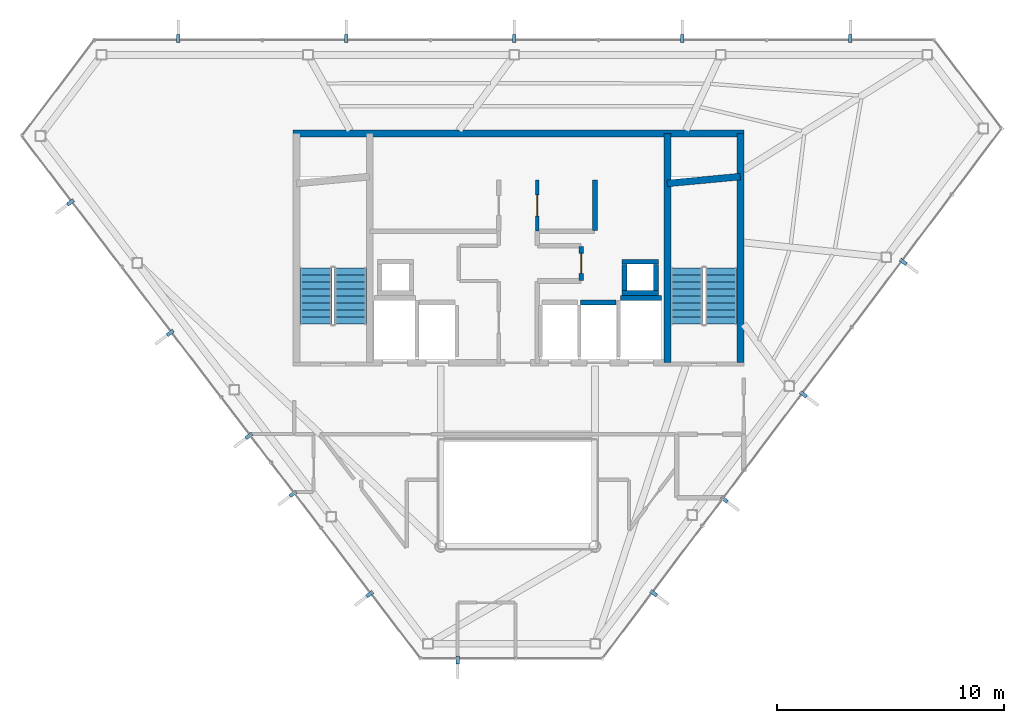
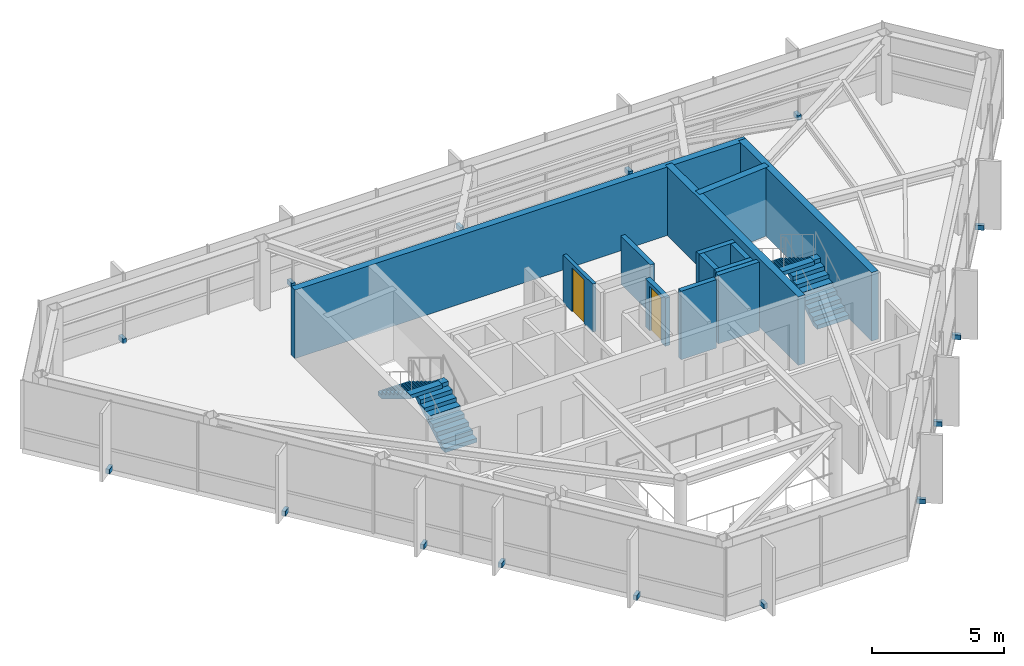
# One storey, part 21 of 22: 15 discrete accessories, 13 walls, 4 stair flights, 2 doors, 2 openings, 2 elements without a shape of their own.
"""IFC4 building model written with IfcOpenShell, lengths in metres."""

from ifc_helpers import new_model, si_unit, direction, frame, frame_2d, origin, origin_2d, place, context, subcontext, project, spatial, polyline, rectangle, outline, extrude, material, layer, layer_set, type_object, element, fill, aggregate, save


model = new_model("IFC4")

# Units and contexts
model_context = context("Model", 3, precision=1e-05, world=origin(), true_north=direction((0.0, 1.0)))
body_context = subcontext(model_context, "Body", "Model", "MODEL_VIEW")
ifc_project = project(units=[si_unit("LENGTHUNIT", "METRE"), si_unit("AREAUNIT", "SQUARE_METRE"), si_unit("VOLUMEUNIT", "CUBIC_METRE"), si_unit("PLANEANGLEUNIT", "RADIAN"), si_unit("MASSUNIT", "GRAM", prefix="KILO")], contexts=[model_context])

# Site, building, storey
site_placement = place(None, origin())
site = spatial("IfcSite", under=ifc_project, at=site_placement, CompositionType="ELEMENT")
building_placement = place(site_placement, origin())
building = spatial("IfcBuilding", under=site, at=building_placement, Name="Zarrinselat Tower", CompositionType="ELEMENT")
storey_placement = place(building_placement, frame((0.0, 0.0, 289.0)))
storey = spatial("IfcBuildingStorey", under=building, at=storey_placement, Name="L74", CompositionType="ELEMENT", Elevation=289.0)

# Wall, opening, door
ifc_material_1 = material(Name="Fire-Rated Gypsum Board Partition", Category="gypsum")
ifc_layer_1 = layer(ifc_material_1, 0.14990234375)
ifc_layer_set_1 = layer_set([ifc_layer_1], Name="Fire-Rated Gypsum Board Partition")
wall_type_1 = type_object("IfcWallType", Name="WAL-PART-EI60", PredefinedType="PARTITIONING", material=ifc_layer_set_1)
wall_1_placement = place(storey_placement, frame((39.25, 39.10498046875, 0.0), z_axis=(0.0, 0.0, 1.0), x_axis=(0.0, 1.0, 0.0)))
wall_1 = element("IfcWall", 1, at=wall_1_placement, inside=storey, type_object=wall_type_1, Name="L74 Partition Wall 12", PredefinedType="PARTITIONING", context=body_context, shape_type="SweptSolid", body=[
    extrude(rectangle(XDim=2.2451171875, YDim=0.14990234375, at=frame_2d((1.12255859375, 0.0))), origin(), (0.0, 0.0, 1.0), 2.235107421875),
])
opening_1_placement = place(wall_1_placement, frame((0.652587890625, 0.0, 0.0)))
opening_1 = element("IfcOpeningElement", 2, at=opening_1_placement, cuts=wall_1, Name="Opening ID-04", PredefinedType="OPENING", context=body_context, shape_type="SweptSolid", body=[
    extrude(rectangle(XDim=0.93994140625, YDim=2.050048828125, at=frame_2d((0.469970703125, 1.02490234375))), frame((0.0, 0.0849609375, 0.0), z_axis=(0.0, -1.0, 0.0), x_axis=(1.0, 0.0, 0.0)), (0.0, 0.0, 1.0), 0.169921875),
])
ifc_material_2 = material(Name="Fire-Rated Gypsum Board Partition")
door_type_1 = type_object("IfcDoorType", Name="DR-INT-FD30-ENT", OperationType="NOTDEFINED", PredefinedType="DOOR", material=ifc_material_2)
door_1_placement = place(opening_1_placement, origin())
door_1 = element("IfcDoor", 3, at=door_1_placement, inside=storey, type_object=door_type_1, Name="L74 Interior Door P12", OperationType="SINGLE_SWING_LEFT", OverallHeight=2.050048828125, OverallWidth=0.93994140625, PredefinedType="DOOR", context=body_context, shape_type="SweptSolid", body=[
    extrude(rectangle(XDim=0.93994140625, YDim=2.050048828125, at=frame_2d((0.469970703125, 1.02490234375))), frame((0.0, 0.02490234375, 0.0), z_axis=(0.0, -1.0, 0.0), x_axis=(1.0, 0.0, 0.0)), (0.0, 0.0, 1.0), 0.050048828125),
])
fill(opening_1, door_1)

ifc_material_3 = material(Name="Concrete C40/50", Category="concrete")
ifc_layer_2 = layer(ifc_material_3, 0.199951171875)
ifc_layer_set_2 = layer_set([ifc_layer_2], Name="Concrete C40/50")
wall_type_2 = type_object("IfcWallType", Name="WAL-PART-PLANT", PredefinedType="PARTITIONING", material=ifc_layer_set_2)
wall_2_placement = place(storey_placement, frame((41.199951171875, 36.919921875, 0.0), z_axis=(0.0, 0.0, 1.0), x_axis=(0.0, 1.0, 0.0)))
wall_2 = element("IfcWall", 4, at=wall_2_placement, inside=storey, type_object=wall_type_2, Name="L74 Partition Wall 9", PredefinedType="PARTITIONING", context=body_context, shape_type="SweptSolid", body=[
    extrude(rectangle(XDim=1.510009765625, YDim=0.199951171875, at=frame_2d((0.7548828125, 0.0))), origin(), (0.0, 0.0, 1.0), 2.235107421875),
])
opening_2_placement = place(wall_2_placement, frame((0.31494140625, 0.0, 0.0)))
opening_2 = element("IfcOpeningElement", 5, at=opening_2_placement, cuts=wall_2, Name="Opening ID-03", PredefinedType="OPENING", context=body_context, shape_type="SweptSolid", body=[
    extrude(rectangle(XDim=0.8798828125, YDim=2.050048828125, at=frame_2d((0.43994140625, 1.02490234375))), frame((0.0, 0.10986328125, 0.0), z_axis=(0.0, -1.0, 0.0), x_axis=(1.0, 0.0, 0.0)), (0.0, 0.0, 1.0), 0.219970703125),
])
ifc_material_4 = material(Name="Steel S355J2", Category="steel")
door_type_2 = type_object("IfcDoorType", Name="DR-INT-FD60-S", OperationType="NOTDEFINED", PredefinedType="DOOR", material=ifc_material_4)
door_2_placement = place(opening_2_placement, origin())
door_2 = element("IfcDoor", 6, at=door_2_placement, inside=storey, type_object=door_type_2, Name="L74 Interior Door P9", OperationType="SINGLE_SWING_RIGHT", OverallHeight=2.050048828125, OverallWidth=0.8798828125, PredefinedType="DOOR", context=body_context, shape_type="SweptSolid", body=[
    extrude(rectangle(XDim=0.8798828125, YDim=2.050048828125, at=frame_2d((0.43994140625, 1.02490234375))), frame((0.0, 0.02490234375, 0.0), z_axis=(0.0, -1.0, 0.0), x_axis=(1.0, 0.0, 0.0)), (0.0, 0.0, 1.0), 0.050048828125),
])
fill(opening_2, door_2)

# Walls
wall_3_placement = place(storey_placement, frame((41.800048828125, 39.1201171875, 0.0), z_axis=(0.0, 0.0, 1.0), x_axis=(0.0, 1.0, 0.0)))
element("IfcWall", 7, at=wall_3_placement, inside=storey, type_object=wall_type_2, Name="L74 Partition Wall 15", PredefinedType="PARTITIONING", context=body_context, shape_type="SweptSolid", body=[
    extrude(rectangle(XDim=2.22998046875, YDim=0.199951171875, at=frame_2d((1.114990234375, 0.0))), origin(), (0.0, 0.0, 1.0), 2.235107421875),
])
ifc_material_5 = material(Name="Concrete C40/50", Category="concrete")
ifc_layer_3 = layer(ifc_material_5, 0.2099609375)
ifc_layer_set_3 = layer_set([ifc_layer_3], Name="Concrete C40/50")
wall_type_3 = type_object("IfcWallType", Name="WAL-SHAFT-210", PredefinedType="SOLIDWALL", material=ifc_layer_set_3)
wall_4_placement = place(storey_placement, frame((42.919921875, 36.155029296875, 0.0), z_axis=(0.0, 0.0, 1.0), x_axis=(1.0, 0.0, 0.0)))
element("IfcWall", 8, at=wall_4_placement, inside=storey, type_object=wall_type_3, Name="L74 Lift FFL2 North Shaft Wall", PredefinedType="SOLIDWALL", context=body_context, shape_type="SweptSolid", body=[
    extrude(rectangle(XDim=1.800048828125, YDim=0.2099609375, at=frame_2d((0.89990234375, 0.0))), origin(), (0.0, 0.0, 1.0), 3.179931640625),
])
wall_5_placement = place(storey_placement, frame((41.169921875, 35.955078125, 0.0), z_axis=(0.0, 0.0, 1.0), x_axis=(1.0, 0.0, 0.0)))
element("IfcWall", 9, at=wall_5_placement, inside=storey, type_object=wall_type_3, Name="L74 Lift PL9 North Shaft Wall", PredefinedType="SOLIDWALL", context=body_context, shape_type="SweptSolid", body=[
    extrude(rectangle(XDim=1.56005859375, YDim=0.2099609375, at=frame_2d((0.780029296875, 0.0))), origin(), (0.0, 0.0, 1.0), 3.179931640625),
])
for number, where, z_axis, x_axis, name in (
    (10, (42.989990234375, 36.375, 0.0), (0.0, 0.0, 1.0), (1.0, 0.0, 0.0), "L74 Core Riser RSR-E S Shaft Wall"),
    (11, (42.989990234375, 37.7451171875, 0.0), (0.0, 0.0, 1.0), (1.0, 0.0, 0.0), "L74 Core Riser RSR-E N Shaft Wall"),
):
    element("IfcWall", number, at=place(storey_placement, frame(where, z_axis=z_axis, x_axis=x_axis)), inside=storey, type_object=wall_type_3, Name=name, PredefinedType="SOLIDWALL", context=body_context, shape_type="SweptSolid", body=[
        extrude(rectangle(XDim=1.60009765625, YDim=0.2099609375, at=frame_2d((0.800048828125, 0.0))), origin(), (0.0, 0.0, 1.0), 3.179931640625),
    ])
for number, where, z_axis, x_axis, name in (
    (12, (43.094970703125, 36.485107421875, 0.0), (0.0, 0.0, 1.0), (0.0, 1.0, 0.0), "L74 Core Riser RSR-E W Shaft Wall"),
    (13, (44.485107421875, 36.485107421875, 0.0), (0.0, 0.0, 1.0), (0.0, 1.0, 0.0), "L74 Core Riser RSR-E E Shaft Wall"),
):
    element("IfcWall", number, at=place(storey_placement, frame(where, z_axis=z_axis, x_axis=x_axis)), inside=storey, type_object=wall_type_3, Name=name, PredefinedType="SOLIDWALL", context=body_context, shape_type="SweptSolid", body=[
        extrude(rectangle(XDim=1.14990234375, YDim=0.2099609375, at=frame_2d((0.574951171875, 0.0))), origin(), (0.0, 0.0, 1.0), 3.179931640625),
    ])
ifc_material_6 = material(Name="Concrete C40/50", Category="concrete")
ifc_layer_4 = layer(ifc_material_6, 0.300048828125)
ifc_layer_set_4 = layer_set([ifc_layer_4], Name="Concrete C40/50")
wall_type_4 = type_object("IfcWallType", Name="WAL-SHEAR-300", PredefinedType="SHEAR", material=ifc_layer_set_4)
wall_6_placement = place(storey_placement, frame((28.5, 43.39990234375, 0.0), z_axis=(0.0, 0.0, 1.0), x_axis=(1.0, 0.0, 0.0)))
element("IfcWall", 14, at=wall_6_placement, inside=storey, type_object=wall_type_4, Name="L74 North Core Shear Wall", PredefinedType="SHEAR", context=body_context, shape_type="SweptSolid", body=[
    extrude(rectangle(XDim=19.860107421875, YDim=0.300048828125, at=frame_2d((9.93017578125, 0.0))), origin(), (0.0, 0.0, 1.0), 3.179931640625),
])
for number, where, z_axis, x_axis, name in (
    (15, (44.989990234375, 33.300048828125, 0.0), (0.0, 0.0, 1.0), (0.0, 1.0, 0.0), "L74 Core Shear Wall ST2W"),
    (16, (48.2099609375, 33.300048828125, 0.0), (0.0, 0.0, 1.0), (0.0, 1.0, 0.0), "L74 Core Shear Wall E"),
):
    element("IfcWall", number, at=place(storey_placement, frame(where, z_axis=z_axis, x_axis=x_axis)), inside=storey, type_object=wall_type_4, Name=name, PredefinedType="SHEAR", context=body_context, shape_type="SweptSolid", body=[
        extrude(rectangle(XDim=10.099853515625, YDim=0.300048828125, at=frame_2d((5.0498046875, 0.0))), origin(), (0.0, 0.0, 1.0), 3.179931640625),
    ])
wall_7_placement = place(storey_placement, frame((44.97998046875, 41.199951171875, 0.0), z_axis=(0.0, 0.0, 1.0), x_axis=(0.995686468965, 0.09278176286, 0.0)))
element("IfcWall", 17, at=wall_7_placement, inside=storey, type_object=wall_type_4, Name="L74 Stair 2 North Shaft Wall", PredefinedType="SHEAR", context=body_context, shape_type="SweptSolid", body=[
    extrude(rectangle(XDim=3.23388671875, YDim=0.300048828125, at=frame_2d((1.616943359375, 0.0))), origin(), (0.0, 0.0, 1.0), 3.179931640625),
])

# Stair, stair flights
ifc_material_7 = material(Name="Concrete C40/50", Category="concrete")
stair_type = type_object("IfcStairType", Name="STR-CORE-155", PredefinedType="HALF_TURN_STAIR", material=ifc_material_7)
stair_1_placement = place(storey_placement, origin())
stair_1 = element("IfcStair", 18, at=stair_1_placement, inside=storey, type_object=stair_type, Name="L74 Core Exit Stair 1", PredefinedType="HALF_TURN_STAIR")
ifc_material_8 = material(Name="Concrete C40/50", Category="concrete")
stair_flight_type = type_object("IfcStairFlightType", Name="STR-FLT-155", PredefinedType="STRAIGHT", material=ifc_material_8)
stair_flight_1_placement = place(storey_placement, frame((31.02001953125, 35.0, 0.0), z_axis=(0.0, 0.0, 1.0), x_axis=(0.0, 1.0, 0.0)))
stair_flight_1 = element("IfcStairFlight", 19, at=stair_flight_1_placement, type_object=stair_flight_type, Name="ST-1 flight 1", NumberOfRisers=9, NumberOfTreads=8, PredefinedType="STRAIGHT", RiserHeight=0.188888889, TreadLength=0.31, context=body_context, shape_type="SweptSolid", body=[
    extrude(outline(polyline([(0.0, 0.0), (0.0, 0.18896484375), (0.31005859375, 0.18896484375), (0.31005859375, 0.377685546875), (0.6201171875, 0.377685546875), (0.6201171875, 0.566650390625), (0.929931640625, 0.566650390625), (0.929931640625, 0.755615234375), (1.239990234375, 0.755615234375), (1.239990234375, 0.9443359375), (1.550048828125, 0.9443359375), (1.550048828125, 1.13330078125), (1.860107421875, 1.13330078125), (1.860107421875, 1.322265625), (2.169921875, 1.322265625), (2.169921875, 1.51123046875), (2.47998046875, 1.51123046875), (2.47998046875, 1.699951171875), (2.47998046875, 1.335693359375), (0.2880859375, 0.0), (0.0, 0.0)])), frame((0.0, 0.699951171875, 0.0), z_axis=(0.0, -1.0, 0.0), x_axis=(1.0, 0.0, 0.0)), (0.0, 0.0, 1.0), 1.39990234375),
])
stair_flight_2_placement = place(storey_placement, frame((29.5, 37.47998046875, 1.699951171875), z_axis=(0.0, 0.0, 1.0), x_axis=(0.0, -1.0, 0.0)))
stair_flight_2 = element("IfcStairFlight", 20, at=stair_flight_2_placement, type_object=stair_flight_type, Name="ST-1 flight 2", NumberOfRisers=9, NumberOfTreads=8, PredefinedType="STRAIGHT", RiserHeight=0.188888889, TreadLength=0.31, context=body_context, shape_type="SweptSolid", body=[
    extrude(outline(polyline([(0.0, 0.0), (0.0, 0.18896484375), (0.31005859375, 0.18896484375), (0.31005859375, 0.377685546875), (0.6201171875, 0.377685546875), (0.6201171875, 0.566650390625), (0.929931640625, 0.566650390625), (0.929931640625, 0.755615234375), (1.239990234375, 0.755615234375), (1.239990234375, 0.9443359375), (1.550048828125, 0.9443359375), (1.550048828125, 1.13330078125), (1.860107421875, 1.13330078125), (1.860107421875, 1.322265625), (2.169921875, 1.322265625), (2.169921875, 1.51123046875), (2.47998046875, 1.51123046875), (2.47998046875, 1.699951171875), (2.47998046875, 1.335693359375), (0.2880859375, 0.0), (0.0, 0.0)])), frame((0.0, 0.699951171875, 0.0), z_axis=(0.0, -1.0, 0.0), x_axis=(1.0, 0.0, 0.0)), (0.0, 0.0, 1.0), 1.39990234375),
])
aggregate(stair_1, [stair_flight_1, stair_flight_2])

stair_2_placement = place(storey_placement, origin())
stair_2 = element("IfcStair", 21, at=stair_2_placement, inside=storey, type_object=stair_type, Name="L74 Core Exit Stair 2", PredefinedType="HALF_TURN_STAIR")
stair_flight_3_placement = place(storey_placement, frame((47.360107421875, 35.0, 0.0), z_axis=(0.0, 0.0, 1.0), x_axis=(0.0, 1.0, 0.0)))
stair_flight_3 = element("IfcStairFlight", 22, at=stair_flight_3_placement, type_object=stair_flight_type, Name="ST-2 flight 1", NumberOfRisers=9, NumberOfTreads=8, PredefinedType="STRAIGHT", RiserHeight=0.188888889, TreadLength=0.31, context=body_context, shape_type="SweptSolid", body=[
    extrude(outline(polyline([(0.0, 0.0), (0.0, 0.18896484375), (0.31005859375, 0.18896484375), (0.31005859375, 0.377685546875), (0.6201171875, 0.377685546875), (0.6201171875, 0.566650390625), (0.929931640625, 0.566650390625), (0.929931640625, 0.755615234375), (1.239990234375, 0.755615234375), (1.239990234375, 0.9443359375), (1.550048828125, 0.9443359375), (1.550048828125, 1.13330078125), (1.860107421875, 1.13330078125), (1.860107421875, 1.322265625), (2.169921875, 1.322265625), (2.169921875, 1.51123046875), (2.47998046875, 1.51123046875), (2.47998046875, 1.699951171875), (2.47998046875, 1.335693359375), (0.2880859375, 0.0), (0.0, 0.0)])), frame((0.0, 0.699951171875, 0.0), z_axis=(0.0, -1.0, 0.0), x_axis=(1.0, 0.0, 0.0)), (0.0, 0.0, 1.0), 1.39990234375),
])
stair_flight_4_placement = place(storey_placement, frame((45.840087890625, 37.47998046875, 1.699951171875), z_axis=(0.0, 0.0, 1.0), x_axis=(0.0, -1.0, 0.0)))
stair_flight_4 = element("IfcStairFlight", 23, at=stair_flight_4_placement, type_object=stair_flight_type, Name="ST-2 flight 2", NumberOfRisers=9, NumberOfTreads=8, PredefinedType="STRAIGHT", RiserHeight=0.188888889, TreadLength=0.31, context=body_context, shape_type="SweptSolid", body=[
    extrude(outline(polyline([(0.0, 0.0), (0.0, 0.18896484375), (0.31005859375, 0.18896484375), (0.31005859375, 0.377685546875), (0.6201171875, 0.377685546875), (0.6201171875, 0.566650390625), (0.929931640625, 0.566650390625), (0.929931640625, 0.755615234375), (1.239990234375, 0.755615234375), (1.239990234375, 0.9443359375), (1.550048828125, 0.9443359375), (1.550048828125, 1.13330078125), (1.860107421875, 1.13330078125), (1.860107421875, 1.322265625), (2.169921875, 1.322265625), (2.169921875, 1.51123046875), (2.47998046875, 1.51123046875), (2.47998046875, 1.699951171875), (2.47998046875, 1.335693359375), (0.2880859375, 0.0), (0.0, 0.0)])), frame((0.0, 0.699951171875, 0.0), z_axis=(0.0, -1.0, 0.0), x_axis=(1.0, 0.0, 0.0)), (0.0, 0.0, 1.0), 1.39990234375),
])
aggregate(stair_2, [stair_flight_3, stair_flight_4])

# Discrete accessories
ifc_material_9 = material(Name="Steel S355J2", Category="steel")
discrete_accessory_type = type_object("IfcDiscreteAccessoryType", Name="ACC-FIN-BRACKET", PredefinedType="BRACKET", material=ifc_material_9)
for number, where, z_axis, x_axis, name in (
    (24, (53.054443359375, 47.586669921875, -0.0498046875), (0.0, 0.0, 1.0), (0.0, 1.0, 0.0), "L74 Fin Fixing Bracket CW-L74-E01-01"),
    (25, (45.6494140625, 47.586669921875, -0.0498046875), (0.0, 0.0, 1.0), (0.0, 1.0, 0.0), "L74 Fin Fixing Bracket CW-L74-E01-03"),
    (26, (38.244140625, 47.586669921875, -0.0498046875), (0.0, 0.0, 1.0), (0.0, 1.0, 0.0), "L74 Fin Fixing Bracket CW-L74-E01-05"),
    (27, (30.8388671875, 47.586669921875, -0.0498046875), (0.0, 0.0, 1.0), (0.0, 1.0, 0.0), "L74 Fin Fixing Bracket CW-L74-E01-07"),
    (28, (23.43359375, 47.586669921875, -0.0498046875), (0.0, 0.0, 1.0), (0.0, 1.0, 0.0), "L74 Fin Fixing Bracket CW-L74-E01-09"),
    (29, (18.686767578125, 40.3671875, -0.0498046875), (0.0, 0.0, 1.0), (-0.794853219631, -0.606801746242, 0.0), "L74 Fin Fixing Bracket CW-L74-E03-01"),
    (30, (23.080810546875, 34.611328125, -0.0498046875), (0.0, 0.0, 1.0), (-0.794853219631, -0.606801746242, 0.0), "L74 Fin Fixing Bracket CW-L74-E03-03"),
    (31, (26.546875, 30.071044921875, -0.0498046875), (0.0, 0.0, 1.0), (-0.794853219631, -0.606801746242, 0.0), "L74 Fin Fixing Bracket CW-L74-E03-05"),
    (32, (28.493408203125, 27.52099609375, -0.0498046875), (0.0, 0.0, 1.0), (-0.794853219631, -0.606801746242, 0.0), "L74 Fin Fixing Bracket CW-L74-E03-07"),
    (33, (31.868896484375, 23.099609375, -0.0498046875), (0.0, 0.0, 1.0), (-0.794853219631, -0.606801746242, 0.0), "L74 Fin Fixing Bracket CW-L74-E03-09"),
    (34, (35.74609375, 20.194091796875, -0.0498046875), (0.0, 0.0, 1.0), (0.0, -1.0, 0.0), "L74 Fin Fixing Bracket CW-L74-E04-01"),
    (35, (44.385498046875, 23.142333984375, -0.0498046875), (0.0, 0.0, 1.0), (0.798742776655, -0.601672649155, 0.0), "L74 Fin Fixing Bracket CW-L74-E05-01"),
    (36, (47.49609375, 27.271728515625, -0.0498046875), (0.0, 0.0, 1.0), (0.798742776655, -0.601672649155, 0.0), "L74 Fin Fixing Bracket CW-L74-E05-03"),
    (37, (50.984619140625, 31.90283203125, -0.0498046875), (0.0, 0.0, 1.0), (0.798742776655, -0.601672649155, 0.0), "L74 Fin Fixing Bracket CW-L74-E05-05"),
    (38, (55.384033203125, 37.743408203125, -0.0498046875), (0.0, 0.0, 1.0), (0.798742776655, -0.601672649155, 0.0), "L74 Fin Fixing Bracket CW-L74-E05-07"),
):
    element("IfcDiscreteAccessory", number, at=place(storey_placement, frame(where, z_axis=z_axis, x_axis=x_axis)), inside=storey, type_object=discrete_accessory_type, Name=name, PredefinedType="BRACKET", context=body_context, shape_type="SweptSolid", body=[
        extrude(rectangle(XDim=0.340087890625, YDim=0.159912109375, at=origin_2d()), origin(), (0.0, 0.0, 1.0), 0.219970703125),
    ])

save(model, "model.ifc")
